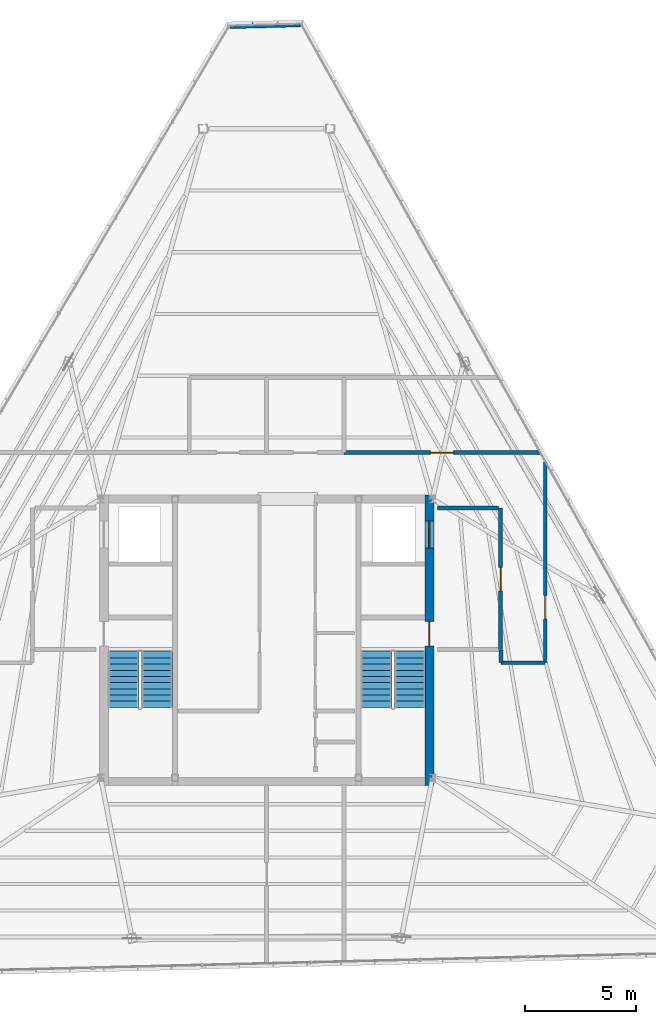
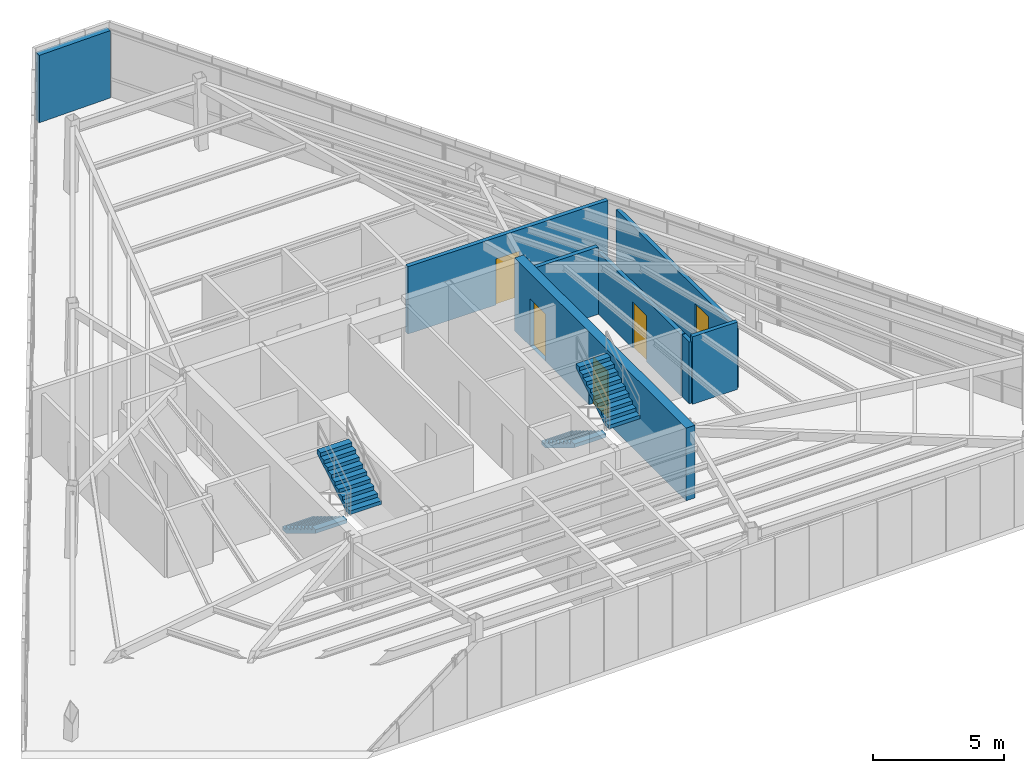
# One storey, part 41 of 44: 8 walls, 5 doors, 4 stair flights, 5 openings, 2 elements without a shape of their own.
"""IFC4 building model written with IfcOpenShell, lengths in metres."""

from ifc_helpers import new_model, si_unit, direction, frame, frame_2d, origin, place, context, subcontext, project, spatial, polyline, rectangle, outline, extrude, material, layer, layer_set, type_object, element, fill, aggregate, save


model = new_model("IFC4")

# Units and contexts
model_context = context("Model", 3, precision=1e-05, world=origin(), true_north=direction((0.0, 1.0)))
body_context = subcontext(model_context, "Body", "Model", "MODEL_VIEW")
ifc_project = project(units=[si_unit("LENGTHUNIT", "METRE"), si_unit("AREAUNIT", "SQUARE_METRE"), si_unit("VOLUMEUNIT", "CUBIC_METRE"), si_unit("PLANEANGLEUNIT", "RADIAN"), si_unit("MASSUNIT", "GRAM", prefix="KILO")], contexts=[model_context])

# Site, building, storey
site_placement = place(None, origin())
site = spatial("IfcSite", under=ifc_project, at=site_placement, CompositionType="ELEMENT")
building_placement = place(site_placement, origin())
building = spatial("IfcBuilding", under=site, at=building_placement, Name="Caelisora Broadcast Tower", CompositionType="ELEMENT")
storey_placement = place(building_placement, frame((0.0, 0.0, 296.60009765625)))
storey = spatial("IfcBuildingStorey", under=building, at=storey_placement, Name="L78", CompositionType="ELEMENT", Elevation=296.60009765625)

# Wall, openings, doors
ifc_material_1 = material(Name="Concrete 40 MPa (AS 3600 N40)", Category="concrete")
ifc_layer_1 = layer(ifc_material_1, 0.39990234375, Name="Concrete 40 MPa (AS 3600 N40)")
ifc_layer_set_1 = layer_set([ifc_layer_1], Name="Concrete 40 MPa (AS 3600 N40)")
wall_type_1 = type_object("IfcWallType", Name="CW3", PredefinedType="SHEAR", material=ifc_layer_set_1)
wall_1_placement = place(storey_placement, frame((45.360107421875, 17.050048828125, 0.0), z_axis=(0.0, 0.0, 1.0), x_axis=(0.0, 1.0, 0.0)))
wall_1 = element("IfcWall", 1, at=wall_1_placement, inside=storey, type_object=wall_type_1, Name="L78 core shear wall CW3", PredefinedType="SHEAR", context=body_context, shape_type="SweptSolid", body=[
    extrude(rectangle(XDim=13.125, YDim=0.39990234375, at=frame_2d((6.5625, 0.0))), origin(), (0.0, 0.0, 1.0), 3.39990234375),
])
opening_1_placement = place(wall_1_placement, frame((6.300048828125, 0.0, 0.0)))
opening_1 = element("IfcOpeningElement", 2, at=opening_1_placement, cuts=wall_1, Name="Opening FD04", PredefinedType="OPENING", context=body_context, shape_type="SweptSolid", body=[
    extrude(rectangle(XDim=1.1201171875, YDim=2.14990234375, at=frame_2d((0.56005859375, 1.074951171875))), frame((0.0, 0.2119140625, 0.0), z_axis=(0.0, -1.0, 0.0), x_axis=(1.0, 0.0, 0.0)), (0.0, 0.0, 1.0), 0.423828125),
])
opening_2_placement = place(wall_1_placement, frame((10.75, 0.0, 0.0)))
opening_2 = element("IfcOpeningElement", 3, at=opening_2_placement, cuts=wall_1, Name="Opening LD04", PredefinedType="OPENING", context=body_context, shape_type="SweptSolid", body=[
    extrude(rectangle(XDim=1.199951171875, YDim=2.199951171875, at=frame_2d((0.60009765625, 1.10009765625))), frame((0.0, 0.2119140625, 0.0), z_axis=(0.0, -1.0, 0.0), x_axis=(1.0, 0.0, 0.0)), (0.0, 0.0, 1.0), 0.423828125),
])
ifc_material_2 = material(Name="Pressurised Fire-Isolated Stair Door", Category="steel")
door_type_1 = type_object("IfcDoorType", Name="FD04", OperationType="NOTDEFINED", PredefinedType="DOOR", material=ifc_material_2)
door_1_placement = place(opening_1_placement, origin())
door_1 = element("IfcDoor", 4, at=door_1_placement, inside=storey, type_object=door_type_1, Name="L78 door FD04 (L78-DR-ST2)", OperationType="SINGLE_SWING_RIGHT", OverallHeight=2.14990234375, OverallWidth=1.1201171875, PredefinedType="DOOR", context=body_context, shape_type="SweptSolid", body=[
    extrude(rectangle(XDim=1.1201171875, YDim=2.14990234375, at=frame_2d((0.56005859375, 1.074951171875))), frame((0.0, 0.02490234375, 0.0), z_axis=(0.0, -1.0, 0.0), x_axis=(1.0, 0.0, 0.0)), (0.0, 0.0, 1.0), 0.050048828125),
])
fill(opening_1, door_1)
ifc_material_3 = material(Name="Emergency Firefighting Lift Sliding Landing Door", Category="steel")
door_type_2 = type_object("IfcDoorType", Name="LD04", OperationType="NOTDEFINED", PredefinedType="DOOR", material=ifc_material_3)
door_2_placement = place(opening_2_placement, origin())
door_2 = element("IfcDoor", 5, at=door_2_placement, inside=storey, type_object=door_type_2, Name="L78 door LD04 (L78-LD-FFL2)", OperationType="SLIDING_TO_RIGHT", OverallHeight=2.199951171875, OverallWidth=1.199951171875, PredefinedType="DOOR", context=body_context, shape_type="SweptSolid", body=[
    extrude(rectangle(XDim=1.199951171875, YDim=2.199951171875, at=frame_2d((0.60009765625, 1.10009765625))), frame((0.0, 0.02490234375, 0.0), z_axis=(0.0, -1.0, 0.0), x_axis=(1.0, 0.0, 0.0)), (0.0, 0.0, 1.0), 0.050048828125),
])
fill(opening_2, door_2)

# Wall
ifc_material_4 = material(Name="Fire-Rated Acoustic Plant Enclosure Wall", Category="masonry")
ifc_layer_2 = layer(ifc_material_4, 0.260009765625, Name="Fire-Rated Acoustic Plant Enclosure Wall")
ifc_layer_set_2 = layer_set([ifc_layer_2], Name="Fire-Rated Acoustic Plant Enclosure Wall")
wall_type_2 = type_object("IfcWallType", Name="EW2", PredefinedType="STANDARD", material=ifc_layer_set_2)
wall_2_placement = place(storey_placement, frame((36.333984375, 51.40576171875, 0.0), z_axis=(0.0, 0.0, 1.0), x_axis=(0.999687933517, 0.024980704149, 0.0)))
element("IfcWall", 6, at=wall_2_placement, inside=storey, type_object=wall_type_2, Name="L78 exterior envelope wall EW2", PredefinedType="STANDARD", context=body_context, shape_type="SweptSolid", body=[
    extrude(rectangle(XDim=3.18603515625, YDim=0.260009765625, at=frame_2d((1.593017578125, 0.0))), origin(), (0.0, 0.0, 1.0), 3.14990234375),
])

# Wall, opening, door
ifc_material_5 = material(Name="Fire-Rated Gypsum Shaft and Compartment Wall", Category="gypsum")
ifc_layer_3 = layer(ifc_material_5, 0.179931640625, Name="Fire-Rated Gypsum Shaft and Compartment Wall")
ifc_layer_set_3 = layer_set([ifc_layer_3], Name="Fire-Rated Gypsum Shaft and Compartment Wall")
wall_type_3 = type_object("IfcWallType", Name="PW2", PredefinedType="PARTITIONING", material=ifc_layer_set_3)
wall_3_placement = place(storey_placement, frame((48.580078125, 23.199951171875, 0.0), z_axis=(0.0, 0.0, 1.0), x_axis=(0.0, 1.0, 0.0)))
wall_3 = element("IfcWall", 7, at=wall_3_placement, inside=storey, type_object=wall_type_3, Name="L78 fire compartment wall PW2", PredefinedType="PARTITIONING", context=body_context, shape_type="SweptSolid", body=[
    extrude(rectangle(XDim=6.400146484375, YDim=0.179931640625, at=frame_2d((3.2001953125, 0.0))), origin(), (0.0, 0.0, 1.0), 2.878662109375),
])
opening_3_placement = place(wall_3_placement, frame((2.64990234375, 0.0, 0.0)))
opening_3 = element("IfcOpeningElement", 8, at=opening_3_placement, cuts=wall_3, Name="Opening FD02", PredefinedType="OPENING", context=body_context, shape_type="SweptSolid", body=[
    extrude(rectangle(XDim=1.050048828125, YDim=2.14990234375, at=frame_2d((0.52490234375, 1.074951171875))), frame((0.0, 0.10205078125, 0.0), z_axis=(0.0, -1.0, 0.0), x_axis=(1.0, 0.0, 0.0)), (0.0, 0.0, 1.0), 0.203857421875),
])
ifc_material_6 = material(Name="Single-Leaf Steel Fire Lobby Door", Category="steel")
door_type_3 = type_object("IfcDoorType", Name="FD02", OperationType="NOTDEFINED", PredefinedType="DOOR", material=ifc_material_6)
door_3_placement = place(opening_3_placement, origin())
door_3 = element("IfcDoor", 9, at=door_3_placement, inside=storey, type_object=door_type_3, Name="L78 door FD02 (L78-DR-P04D1)", OperationType="SINGLE_SWING_RIGHT", OverallHeight=2.14990234375, OverallWidth=1.050048828125, PredefinedType="DOOR", context=body_context, shape_type="SweptSolid", body=[
    extrude(rectangle(XDim=1.050048828125, YDim=2.14990234375, at=frame_2d((0.52490234375, 1.074951171875))), frame((0.0, 0.02490234375, 0.0), z_axis=(0.0, -1.0, 0.0), x_axis=(1.0, 0.0, 0.0)), (0.0, 0.0, 1.0), 0.050048828125),
])
fill(opening_3, door_3)

# Wall
wall_4_placement = place(storey_placement, frame((45.719970703125, 29.60009765625, 0.0), z_axis=(0.0, 0.0, 1.0), x_axis=(1.0, 0.0, 0.0)))
element("IfcWall", 10, at=wall_4_placement, inside=storey, type_object=wall_type_3, Name="L78 fire compartment wall PW2", PredefinedType="PARTITIONING", context=body_context, shape_type="SweptSolid", body=[
    extrude(rectangle(XDim=2.760009765625, YDim=0.179931640625, at=frame_2d((1.3798828125, 0.0))), origin(), (0.0, 0.0, 1.0), 3.14990234375),
])

# Wall, opening, door
wall_5_placement = place(storey_placement, frame((50.60009765625, 22.60498046875, 0.0), z_axis=(0.0, 0.0, 1.0), x_axis=(0.0, 1.0, 0.0)))
wall_5 = element("IfcWall", 11, at=wall_5_placement, inside=storey, type_object=wall_type_3, Name="L78 fire compartment wall PW2", PredefinedType="PARTITIONING", context=body_context, shape_type="SweptSolid", body=[
    extrude(rectangle(XDim=9.06494140625, YDim=0.179931640625, at=frame_2d((4.532470703125, 0.0))), origin(), (0.0, 0.0, 1.0), 2.878662109375),
])
opening_4_placement = place(wall_5_placement, frame((1.97998046875, 0.0, 0.0)))
opening_4 = element("IfcOpeningElement", 12, at=opening_4_placement, cuts=wall_5, Name="Opening FD02", PredefinedType="OPENING", context=body_context, shape_type="SweptSolid", body=[
    extrude(rectangle(XDim=1.050048828125, YDim=2.14990234375, at=frame_2d((0.52490234375, 1.074951171875))), frame((0.0, 0.10205078125, 0.0), z_axis=(0.0, -1.0, 0.0), x_axis=(1.0, 0.0, 0.0)), (0.0, 0.0, 1.0), 0.203857421875),
])
door_4_placement = place(opening_4_placement, origin())
door_4 = element("IfcDoor", 13, at=door_4_placement, inside=storey, type_object=door_type_3, Name="L78 door FD02 (L78-DR-P18D1)", OperationType="SINGLE_SWING_LEFT", OverallHeight=2.14990234375, OverallWidth=1.050048828125, PredefinedType="DOOR", context=body_context, shape_type="SweptSolid", body=[
    extrude(rectangle(XDim=1.050048828125, YDim=2.14990234375, at=frame_2d((0.52490234375, 1.074951171875))), frame((0.0, 0.02490234375, 0.0), z_axis=(0.0, -1.0, 0.0), x_axis=(1.0, 0.0, 0.0)), (0.0, 0.0, 1.0), 0.050048828125),
])
fill(opening_4, door_4)

wall_6_placement = place(storey_placement, frame((41.5048828125, 32.10009765625, 0.0), z_axis=(0.0, 0.0, 1.0), x_axis=(1.0, 0.0, 0.0)))
wall_6 = element("IfcWall", 14, at=wall_6_placement, inside=storey, type_object=wall_type_3, Name="L78 fire compartment wall PW2", PredefinedType="PARTITIONING", context=body_context, shape_type="SweptSolid", body=[
    extrude(rectangle(XDim=8.855224609375, YDim=0.179931640625, at=frame_2d((4.427734375, 0.0))), origin(), (0.0, 0.0, 1.0), 3.14990234375),
])
opening_5_placement = place(wall_6_placement, frame((3.902099609375, 0.0, 0.0)))
opening_5 = element("IfcOpeningElement", 15, at=opening_5_placement, cuts=wall_6, Name="Opening FD02", PredefinedType="OPENING", context=body_context, shape_type="SweptSolid", body=[
    extrude(rectangle(XDim=1.050048828125, YDim=2.14990234375, at=frame_2d((0.52490234375, 1.074951171875))), frame((0.0, 0.10205078125, 0.0), z_axis=(0.0, -1.0, 0.0), x_axis=(1.0, 0.0, 0.0)), (0.0, 0.0, 1.0), 0.203857421875),
])
door_5_placement = place(opening_5_placement, origin())
door_5 = element("IfcDoor", 16, at=door_5_placement, inside=storey, type_object=door_type_3, Name="L78 door FD02 (L78-DR-P19D1)", OperationType="SINGLE_SWING_RIGHT", OverallHeight=2.14990234375, OverallWidth=1.050048828125, PredefinedType="DOOR", context=body_context, shape_type="SweptSolid", body=[
    extrude(rectangle(XDim=1.050048828125, YDim=2.14990234375, at=frame_2d((0.52490234375, 1.074951171875))), frame((0.0, 0.02490234375, 0.0), z_axis=(0.0, -1.0, 0.0), x_axis=(1.0, 0.0, 0.0)), (0.0, 0.0, 1.0), 0.050048828125),
])
fill(opening_5, door_5)

# Walls
wall_7_placement = place(storey_placement, frame((48.60498046875, 22.60009765625, 0.0), z_axis=(0.0, 0.0, 1.0), x_axis=(1.0, 0.0, 0.0)))
element("IfcWall", 17, at=wall_7_placement, inside=storey, type_object=wall_type_3, Name="L78 fire compartment wall PW2", PredefinedType="PARTITIONING", context=body_context, shape_type="SweptSolid", body=[
    extrude(rectangle(XDim=1.989990234375, YDim=0.179931640625, at=frame_2d((0.9951171875, 0.0))), origin(), (0.0, 0.0, 1.0), 3.14990234375),
])
wall_8_placement = place(storey_placement, frame((48.60009765625, 23.175048828125, 0.0), z_axis=(0.0, 0.0, 1.0), x_axis=(0.0, -1.0, 0.0)))
element("IfcWall", 18, at=wall_8_placement, inside=storey, type_object=wall_type_3, Name="L78 fire compartment wall PW2", PredefinedType="PARTITIONING", context=body_context, shape_type="SweptSolid", body=[
    extrude(rectangle(XDim=0.570068359375, YDim=0.179931640625, at=frame_2d((0.28515625, 0.0))), origin(), (0.0, 0.0, 1.0), 2.878662109375),
])

# Stair, stair flights
stair_type_1 = type_object("IfcStairType", Name="ST-1", PredefinedType="HALF_TURN_STAIR", material=ifc_material_1)
stair_1_placement = place(storey_placement, origin())
stair_1 = element("IfcStair", 19, at=stair_1_placement, inside=storey, type_object=stair_type_1, Name="L78 West Fire-Isolated Tower Stair", PredefinedType="HALF_TURN_STAIR")
stair_flight_type = type_object("IfcStairFlightType", Name="STF-4", PredefinedType="STRAIGHT", material=ifc_material_1)
stair_flight_1_placement = place(storey_placement, frame((31.52001953125, 23.10009765625, 0.0), z_axis=(0.0, 0.0, 1.0), x_axis=(0.0, -1.0, 0.0)))
stair_flight_1 = element("IfcStairFlight", 20, at=stair_flight_1_placement, type_object=stair_flight_type, Name="ST-1 flight 1", NumberOfRisers=10, NumberOfTreads=9, PredefinedType="STRAIGHT", RiserHeight=0.17, TreadLength=0.28, context=body_context, shape_type="SweptSolid", body=[
    extrude(outline(polyline([(0.0, 0.0), (0.0, 0.169921875), (0.280029296875, 0.169921875), (0.280029296875, 0.340087890625), (0.56005859375, 0.340087890625), (0.56005859375, 0.510009765625), (0.840087890625, 0.510009765625), (0.840087890625, 0.679931640625), (1.1201171875, 0.679931640625), (1.1201171875, 0.85009765625), (1.39990234375, 0.85009765625), (1.39990234375, 1.02001953125), (1.679931640625, 1.02001953125), (1.679931640625, 1.18994140625), (1.9599609375, 1.18994140625), (1.9599609375, 1.360107421875), (2.239990234375, 1.360107421875), (2.239990234375, 1.530029296875), (2.52001953125, 1.530029296875), (2.52001953125, 1.699951171875), (2.52001953125, 1.354736328125), (0.288818359375, 0.0), (0.0, 0.0)])), frame((0.0, 0.699951171875, 0.0), z_axis=(0.0, -1.0, 0.0), x_axis=(1.0, 0.0, 0.0)), (0.0, 0.0, 1.0), 1.39990234375),
])
stair_flight_2_placement = place(storey_placement, frame((33.0400390625, 20.580078125, 1.699951171875), z_axis=(0.0, 0.0, 1.0), x_axis=(0.0, 1.0, 0.0)))
stair_flight_2 = element("IfcStairFlight", 21, at=stair_flight_2_placement, type_object=stair_flight_type, Name="ST-1 flight 2", NumberOfRisers=10, NumberOfTreads=9, PredefinedType="STRAIGHT", RiserHeight=0.17, TreadLength=0.28, context=body_context, shape_type="SweptSolid", body=[
    extrude(outline(polyline([(0.0, 0.0), (0.0, 0.169921875), (0.280029296875, 0.169921875), (0.280029296875, 0.340087890625), (0.56005859375, 0.340087890625), (0.56005859375, 0.510009765625), (0.840087890625, 0.510009765625), (0.840087890625, 0.679931640625), (1.1201171875, 0.679931640625), (1.1201171875, 0.85009765625), (1.39990234375, 0.85009765625), (1.39990234375, 1.02001953125), (1.679931640625, 1.02001953125), (1.679931640625, 1.18994140625), (1.9599609375, 1.18994140625), (1.9599609375, 1.360107421875), (2.239990234375, 1.360107421875), (2.239990234375, 1.530029296875), (2.52001953125, 1.530029296875), (2.52001953125, 1.699951171875), (2.52001953125, 1.354736328125), (0.288818359375, 0.0), (0.0, 0.0)])), frame((0.0, 0.699951171875, 0.0), z_axis=(0.0, -1.0, 0.0), x_axis=(1.0, 0.0, 0.0)), (0.0, 0.0, 1.0), 1.39990234375),
])
aggregate(stair_1, [stair_flight_1, stair_flight_2])

stair_type_2 = type_object("IfcStairType", Name="ST-2", PredefinedType="HALF_TURN_STAIR", material=ifc_material_1)
stair_2_placement = place(storey_placement, origin())
stair_2 = element("IfcStair", 22, at=stair_2_placement, inside=storey, type_object=stair_type_2, Name="L78 East Fire-Isolated Tower Stair", PredefinedType="HALF_TURN_STAIR")
stair_flight_3_placement = place(storey_placement, frame((42.9599609375, 23.10009765625, 0.0), z_axis=(0.0, 0.0, 1.0), x_axis=(0.0, -1.0, 0.0)))
stair_flight_3 = element("IfcStairFlight", 23, at=stair_flight_3_placement, type_object=stair_flight_type, Name="ST-2 flight 1", NumberOfRisers=10, NumberOfTreads=9, PredefinedType="STRAIGHT", RiserHeight=0.17, TreadLength=0.28, context=body_context, shape_type="SweptSolid", body=[
    extrude(outline(polyline([(0.0, 0.0), (0.0, 0.169921875), (0.280029296875, 0.169921875), (0.280029296875, 0.340087890625), (0.56005859375, 0.340087890625), (0.56005859375, 0.510009765625), (0.840087890625, 0.510009765625), (0.840087890625, 0.679931640625), (1.1201171875, 0.679931640625), (1.1201171875, 0.85009765625), (1.39990234375, 0.85009765625), (1.39990234375, 1.02001953125), (1.679931640625, 1.02001953125), (1.679931640625, 1.18994140625), (1.9599609375, 1.18994140625), (1.9599609375, 1.360107421875), (2.239990234375, 1.360107421875), (2.239990234375, 1.530029296875), (2.52001953125, 1.530029296875), (2.52001953125, 1.699951171875), (2.52001953125, 1.354736328125), (0.288818359375, 0.0), (0.0, 0.0)])), frame((0.0, 0.699951171875, 0.0), z_axis=(0.0, -1.0, 0.0), x_axis=(1.0, 0.0, 0.0)), (0.0, 0.0, 1.0), 1.39990234375),
])
stair_flight_4_placement = place(storey_placement, frame((44.47998046875, 20.580078125, 1.699951171875), z_axis=(0.0, 0.0, 1.0), x_axis=(0.0, 1.0, 0.0)))
stair_flight_4 = element("IfcStairFlight", 24, at=stair_flight_4_placement, type_object=stair_flight_type, Name="ST-2 flight 2", NumberOfRisers=10, NumberOfTreads=9, PredefinedType="STRAIGHT", RiserHeight=0.17, TreadLength=0.28, context=body_context, shape_type="SweptSolid", body=[
    extrude(outline(polyline([(0.0, 0.0), (0.0, 0.169921875), (0.280029296875, 0.169921875), (0.280029296875, 0.340087890625), (0.56005859375, 0.340087890625), (0.56005859375, 0.510009765625), (0.840087890625, 0.510009765625), (0.840087890625, 0.679931640625), (1.1201171875, 0.679931640625), (1.1201171875, 0.85009765625), (1.39990234375, 0.85009765625), (1.39990234375, 1.02001953125), (1.679931640625, 1.02001953125), (1.679931640625, 1.18994140625), (1.9599609375, 1.18994140625), (1.9599609375, 1.360107421875), (2.239990234375, 1.360107421875), (2.239990234375, 1.530029296875), (2.52001953125, 1.530029296875), (2.52001953125, 1.699951171875), (2.52001953125, 1.354736328125), (0.288818359375, 0.0), (0.0, 0.0)])), frame((0.0, 0.699951171875, 0.0), z_axis=(0.0, -1.0, 0.0), x_axis=(1.0, 0.0, 0.0)), (0.0, 0.0, 1.0), 1.39990234375),
])
aggregate(stair_2, [stair_flight_3, stair_flight_4])

save(model, "model.ifc")
